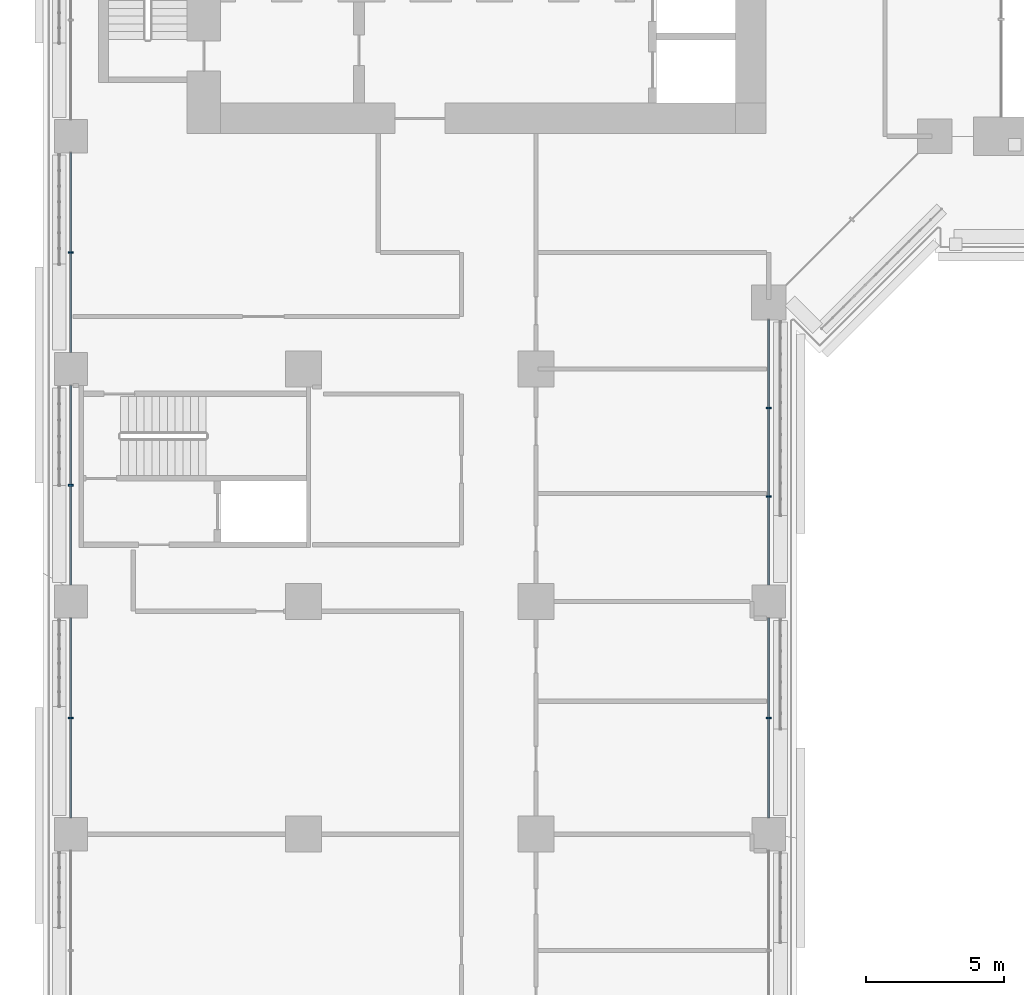
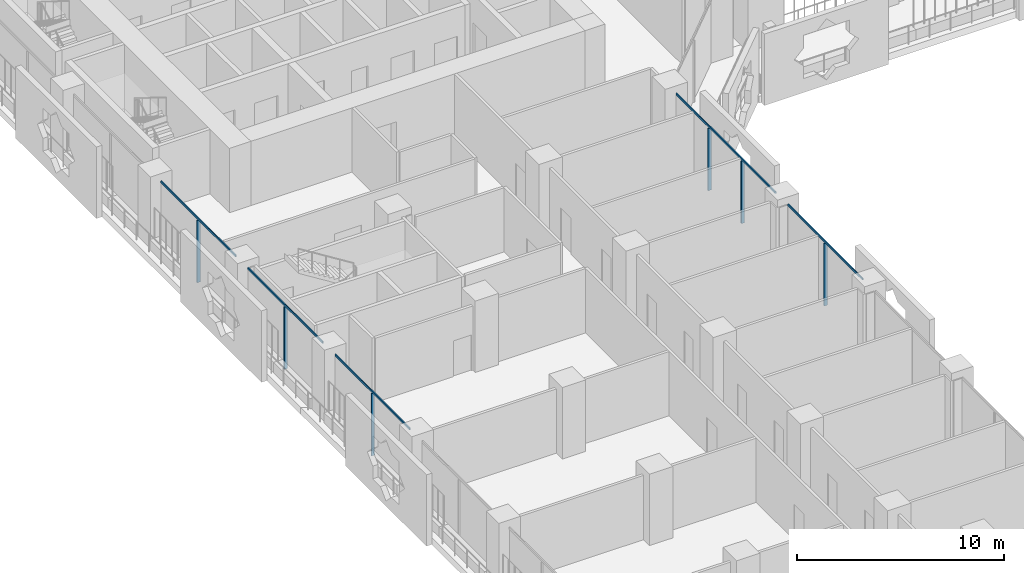
# One storey, part 3 of 28: 11 members, 2 elements without a shape of their own.
"""IFC4 building model written with IfcOpenShell, lengths in metres."""

from ifc_helpers import new_model, si_unit, direction, frame, origin, origin_2d, place, context, subcontext, project, spatial, rectangle, extrude, material, layer, layer_set, material_profile, profile_set, type_object, element, aggregate, save


model = new_model("IFC4")

# Units and contexts
model_context = context("Model", 3, precision=1e-05, world=origin(), true_north=direction((0.0, 1.0)))
body_context = subcontext(model_context, "Body", "Model", "MODEL_VIEW")
ifc_project = project(units=[si_unit("LENGTHUNIT", "METRE"), si_unit("AREAUNIT", "SQUARE_METRE"), si_unit("VOLUMEUNIT", "CUBIC_METRE"), si_unit("PLANEANGLEUNIT", "RADIAN"), si_unit("MASSUNIT", "GRAM", prefix="KILO")], contexts=[model_context])

# Site, building, storey
site_placement = place(None, origin())
site = spatial("IfcSite", under=ifc_project, at=site_placement, CompositionType="ELEMENT")
building_placement = place(site_placement, origin())
building = spatial("IfcBuilding", under=site, at=building_placement, Name="Kawkab Arch Medical Tower", CompositionType="ELEMENT")
storey_placement = place(building_placement, frame((0.0, 0.0, 47.60009765625)))
storey = spatial("IfcBuildingStorey", under=building, at=storey_placement, Name="L10", CompositionType="ELEMENT", Elevation=47.60009765625)

# Curtain wall, members
ifc_material_1 = material(Name="Bronze anodised aluminium curtain wall frame", Category="aluminium")
ifc_layer = layer(ifc_material_1, 0.159912109375)
ifc_layer_set = layer_set([ifc_layer], Name="Bronze anodised aluminium curtain wall frame")
curtain_wall_type = type_object("IfcCurtainWallType", Name="CW1 ward curtain wall", PredefinedType="NOTDEFINED", material=ifc_layer_set)
placement = place(storey_placement, origin())
curtain_wall_1 = element("IfcCurtainWall", 1, at=placement, inside=storey, type_object=curtain_wall_type, Name="CW1 Ward curtain wall R11", PredefinedType="NOTDEFINED")
ifc_material_2 = material(Name="Bronze anodised aluminium curtain wall frame", Category="aluminium")
ifc_material_profile_1 = material_profile(ifc_material_2, rectangle(XDim=0.179931640625, YDim=0.06005859375, at=origin_2d()), Name="AL 60x180")
ifc_profile_set_1 = profile_set([ifc_material_profile_1], Name="Bronze anodised aluminium curtain wall frame")
member_type_1 = type_object("IfcMemberType", Name="CW1 mullion 60 x 180", PredefinedType="MULLION", material=ifc_profile_set_1)
member_1_placement = place(storey_placement, frame((0.0, -29.39990234375, 0.0), z_axis=(0.0, 0.0, 1.0), x_axis=(1.0, 0.0, 0.0)))
member_1 = element("IfcMember", 2, at=member_1_placement, type_object=member_type_1, Name="CW1 mullion 3.1", PredefinedType="MULLION", context=body_context, shape_type="SweptSolid", body=[
    extrude(rectangle(XDim=0.179931640625, YDim=0.06005859375, at=origin_2d()), origin(), (0.0, 0.0, 1.0), 3.659912109375),
])
member_2_placement = place(storey_placement, frame((0.0, -37.800048828125, 0.0), z_axis=(0.0, 0.0, 1.0), x_axis=(1.0, 0.0, 0.0)))
member_2 = element("IfcMember", 3, at=member_2_placement, type_object=member_type_1, Name="CW1 mullion 4.1", PredefinedType="MULLION", context=body_context, shape_type="SweptSolid", body=[
    extrude(rectangle(XDim=0.179931640625, YDim=0.06005859375, at=origin_2d()), origin(), (0.0, 0.0, 1.0), 3.659912109375),
])
member_3_placement = place(storey_placement, frame((0.0, -46.199951171875, 0.0), z_axis=(0.0, 0.0, 1.0), x_axis=(1.0, 0.0, 0.0)))
member_3 = element("IfcMember", 4, at=member_3_placement, type_object=member_type_1, Name="CW1 mullion 5.1", PredefinedType="MULLION", context=body_context, shape_type="SweptSolid", body=[
    extrude(rectangle(XDim=0.179931640625, YDim=0.06005859375, at=origin_2d()), origin(), (0.0, 0.0, 1.0), 3.659912109375),
])

curtain_wall_2 = element("IfcCurtainWall", 5, at=placement, inside=storey, type_object=curtain_wall_type, Name="CW1 Ward curtain wall R15", PredefinedType="NOTDEFINED")
member_4_placement = place(storey_placement, frame((25.199951171875, -46.199951171875, 0.0), z_axis=(0.0, 0.0, 1.0), x_axis=(-1.0, 0.0, 0.0)))
member_4 = element("IfcMember", 6, at=member_4_placement, type_object=member_type_1, Name="CW1 mullion 3.1", PredefinedType="MULLION", context=body_context, shape_type="SweptSolid", body=[
    extrude(rectangle(XDim=0.179931640625, YDim=0.06005859375, at=origin_2d()), origin(), (0.0, 0.0, 1.0), 3.659912109375),
])
member_5_placement = place(storey_placement, frame((25.199951171875, -38.208251953125, 0.0), z_axis=(0.0, 0.0, 1.0), x_axis=(-1.0, 0.0, 0.0)))
member_5 = element("IfcMember", 7, at=member_5_placement, type_object=member_type_1, Name="CW1 mullion 4.1", PredefinedType="MULLION", context=body_context, shape_type="SweptSolid", body=[
    extrude(rectangle(XDim=0.179931640625, YDim=0.06005859375, at=origin_2d()), origin(), (0.0, 0.0, 1.0), 3.659912109375),
])
member_6_placement = place(storey_placement, frame((25.199951171875, -35.0166015625, 0.0), z_axis=(0.0, 0.0, 1.0), x_axis=(-1.0, 0.0, 0.0)))
member_6 = element("IfcMember", 8, at=member_6_placement, type_object=member_type_1, Name="CW1 mullion 4.2", PredefinedType="MULLION", context=body_context, shape_type="SweptSolid", body=[
    extrude(rectangle(XDim=0.179931640625, YDim=0.06005859375, at=origin_2d()), origin(), (0.0, 0.0, 1.0), 3.659912109375),
])

# Member
ifc_material_3 = material(Name="Bronze anodised aluminium curtain wall frame", Category="aluminium")
ifc_material_profile_2 = material_profile(ifc_material_3, rectangle(XDim=0.06005859375, YDim=0.1201171875, at=origin_2d()), Name="AL 60x120")
ifc_profile_set_2 = profile_set([ifc_material_profile_2], Name="Bronze anodised aluminium curtain wall frame")
member_type_2 = type_object("IfcMemberType", Name="CW1 transom 120 x 60", PredefinedType="USERDEFINED", material=ifc_profile_set_2)
member_7_placement = place(storey_placement, frame((0.0, -25.800048828125, 3.719970703125), z_axis=(0.0, -1.0, 0.0), x_axis=(1.0, 0.0, 0.0)))
member_7 = element("IfcMember", 9, at=member_7_placement, type_object=member_type_2, Name="CW1 transom 3", ObjectType="TRANSOM", PredefinedType="USERDEFINED", context=body_context, shape_type="SweptSolid", body=[
    extrude(rectangle(XDim=0.06005859375, YDim=0.1201171875, at=origin_2d()), origin(), (0.0, 0.0, 1.0), 7.199951171875),
])

member_8_placement = place(storey_placement, frame((0.0, -34.199951171875, 3.719970703125), z_axis=(0.0, -1.0, 0.0), x_axis=(1.0, 0.0, 0.0)))
member_8 = element("IfcMember", 10, at=member_8_placement, type_object=member_type_2, Name="CW1 transom 4", ObjectType="TRANSOM", PredefinedType="USERDEFINED", context=body_context, shape_type="SweptSolid", body=[
    extrude(rectangle(XDim=0.06005859375, YDim=0.1201171875, at=origin_2d()), origin(), (0.0, 0.0, 1.0), 7.199951171875),
])

member_9_placement = place(storey_placement, frame((0.0, -42.60009765625, 3.719970703125), z_axis=(0.0, -1.0, 0.0), x_axis=(1.0, 0.0, 0.0)))
member_9 = element("IfcMember", 11, at=member_9_placement, type_object=member_type_2, Name="CW1 transom 5", ObjectType="TRANSOM", PredefinedType="USERDEFINED", context=body_context, shape_type="SweptSolid", body=[
    extrude(rectangle(XDim=0.06005859375, YDim=0.1201171875, at=origin_2d()), origin(), (0.0, 0.0, 1.0), 7.199951171875),
])

aggregate(curtain_wall_1, [member_7, member_1, member_8, member_2, member_9, member_3])

member_10_placement = place(storey_placement, frame((25.199951171875, -49.800048828125, 3.719970703125), z_axis=(0.0, 1.0, 0.0), x_axis=(-1.0, 0.0, 0.0)))
member_10 = element("IfcMember", 12, at=member_10_placement, type_object=member_type_2, Name="CW1 transom 3", ObjectType="TRANSOM", PredefinedType="USERDEFINED", context=body_context, shape_type="SweptSolid", body=[
    extrude(rectangle(XDim=0.06005859375, YDim=0.1201171875, at=origin_2d()), origin(), (0.0, 0.0, 1.0), 7.199951171875),
])

member_11_placement = place(storey_placement, frame((25.199951171875, -41.39990234375, 3.719970703125), z_axis=(0.0, 1.0, 0.0), x_axis=(-1.0, 0.0, 0.0)))
member_11 = element("IfcMember", 13, at=member_11_placement, type_object=member_type_2, Name="CW1 transom 4", ObjectType="TRANSOM", PredefinedType="USERDEFINED", context=body_context, shape_type="SweptSolid", body=[
    extrude(rectangle(XDim=0.06005859375, YDim=0.1201171875, at=origin_2d()), origin(), (0.0, 0.0, 1.0), 9.574951171875),
])

aggregate(curtain_wall_2, [member_10, member_4, member_11, member_5, member_6])

save(model, "model.ifc")
